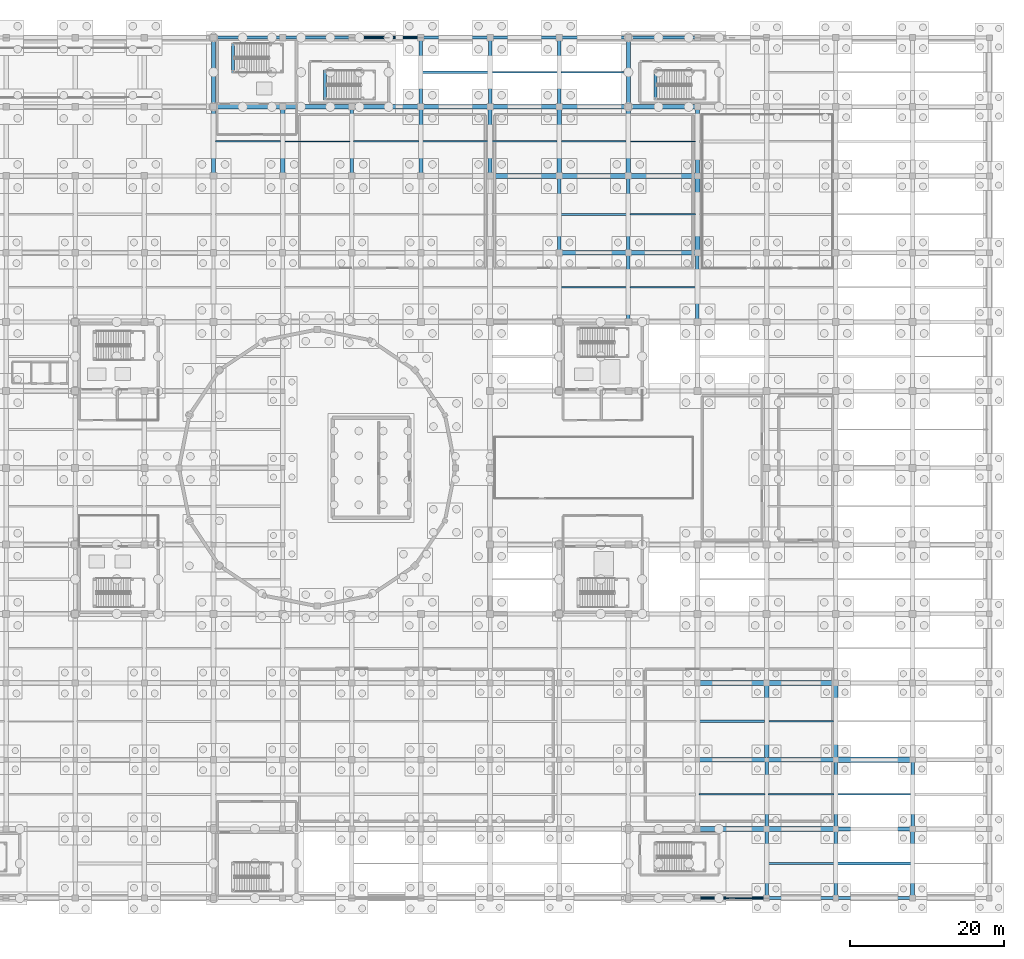
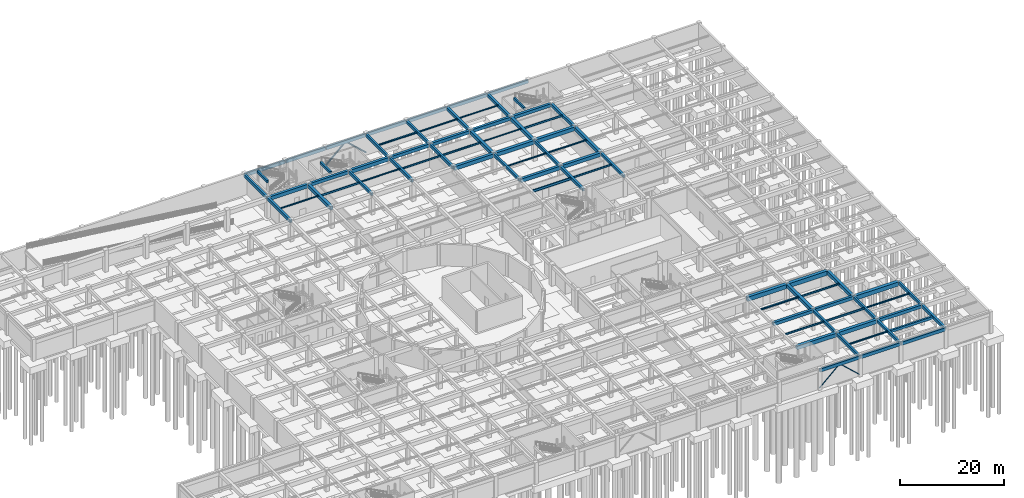
# One storey, part 32 of 62: 80 beams, 4 members.
"""IFC4 building model written with IfcOpenShell, lengths in metres."""

from ifc_helpers import new_model, si_unit, direction, frame, origin, origin_2d, place, context, subcontext, project, spatial, rectangle, hollow_rectangle, hollow_circle, i_section, extrude, material, material_profile, profile_set, type_object, element, save


model = new_model("IFC4")

# Units and contexts
model_context = context("Model", 3, precision=1e-05, world=origin(), true_north=direction((0.0, 1.0)))
body_context = subcontext(model_context, "Body", "Model", "MODEL_VIEW")
ifc_project = project(units=[si_unit("LENGTHUNIT", "METRE"), si_unit("AREAUNIT", "SQUARE_METRE"), si_unit("VOLUMEUNIT", "CUBIC_METRE"), si_unit("PLANEANGLEUNIT", "RADIAN"), si_unit("MASSUNIT", "GRAM", prefix="KILO")], contexts=[model_context])

# Site, building, storey
site_placement = place(None, origin())
site = spatial("IfcSite", under=ifc_project, at=site_placement, CompositionType="ELEMENT")
building_placement = place(site_placement, origin())
building = spatial("IfcBuilding", under=site, at=building_placement, Name="Miravela Opera House", CompositionType="ELEMENT")
storey_placement = place(building_placement, frame((0.0, 0.0, -5.10009765625)))
storey = spatial("IfcBuildingStorey", under=building, at=storey_placement, Name="B01", CompositionType="ELEMENT", Elevation=-5.10009765625)

# Beams
ifc_material_1 = material(Name="Concrete C35/45", Category="concrete")
ifc_material_profile_1 = material_profile(ifc_material_1, rectangle(XDim=0.39990234375, YDim=0.60009765625, at=origin_2d()), Name="RC-BM-400X600")
ifc_profile_set_1 = profile_set([ifc_material_profile_1])
beam_type_1 = type_object("IfcBeamType", Name="STR-BM-RC400X600", PredefinedType="JOIST", material=ifc_profile_set_1)
beam_1_placement = place(storey_placement, frame((144.22509765625, 4.5, 4.47998046875), z_axis=(1.0, 0.0, 0.0), x_axis=(0.0, 1.0, 0.0)))
element("IfcBeam", 1, at=beam_1_placement, inside=storey, type_object=beam_type_1, Name="Secondary Floor Joist B01 17-18/A-B", PredefinedType="JOIST", context=body_context, shape_type="SweptSolid", body=[
    extrude(rectangle(XDim=0.39990234375, YDim=0.60009765625, at=origin_2d()), origin(), (0.0, 0.0, 1.0), 9.5498046875),
])
for number, where, z_axis, x_axis, name in (
    (2, (65.5400390625, 107.39990234375, 4.800048828125), (0.0, 1.0, 0.0), (-1.0, 0.0, 0.0), "Stair K5 Opening Header Trimmer Beam 00"),
    (3, (77.5400390625, 103.89990234375, 4.800048828125), (0.0, 1.0, 0.0), (-1.0, 0.0, 0.0), "Stair ST-07 Opening Header Trimmer Beam 00"),
    (4, (120.5400390625, 103.89990234375, 4.800048828125), (0.0, 1.0, 0.0), (-1.0, 0.0, 0.0), "Stair ST-09 Opening Header Trimmer Beam 00"),
):
    element("IfcBeam", number, at=place(storey_placement, frame(where, z_axis=z_axis, x_axis=x_axis)), inside=storey, type_object=beam_type_1, Name=name, PredefinedType="JOIST", context=body_context, shape_type="SweptSolid", body=[
        extrude(rectangle(XDim=0.39990234375, YDim=0.60009765625, at=origin_2d()), origin(), (0.0, 0.0, 1.0), 3.880126953125),
    ])
ifc_material_profile_2 = material_profile(ifc_material_1, rectangle(XDim=0.449951171875, YDim=0.64990234375, at=origin_2d()), Name="RC-BM-450X650")
ifc_profile_set_2 = profile_set([ifc_material_profile_2])
beam_type_2 = type_object("IfcBeamType", Name="STR-BM-RC450X650", PredefinedType="BEAM", material=ifc_profile_set_2)
for number, where, z_axis, x_axis, name in (
    (5, (81.0, 94.080078125, 4.4951171875), (0.0, 1.0, 0.0), (-1.0, 0.0, 0.0), "Floor Girder B01 10/K-L"),
    (6, (90.0, 103.080078125, 4.4951171875), (0.0, 1.0, 0.0), (-1.0, 0.0, 0.0), "Floor Girder B01 11/L-M"),
    (7, (99.0, 103.080078125, 4.4951171875), (0.0, 1.0, 0.0), (-1.0, 0.0, 0.0), "Floor Girder B01 12/L-M"),
):
    element("IfcBeam", number, at=place(storey_placement, frame(where, z_axis=z_axis, x_axis=x_axis)), inside=storey, type_object=beam_type_2, Name=name, PredefinedType="BEAM", context=body_context, shape_type="SweptSolid", body=[
        extrude(rectangle(XDim=0.449951171875, YDim=0.64990234375, at=origin_2d()), origin(), (0.0, 0.0, 1.0), 8.83984375),
    ])
for number, where, z_axis, x_axis, name in (
    (8, (108.0, 84.080078125, 4.4951171875), (0.0, 1.0, 0.0), (-1.0, 0.0, 0.0), "Floor Girder B01 13/J-K"),
    (9, (117.0, 84.080078125, 4.4951171875), (0.0, 1.0, 0.0), (-1.0, 0.0, 0.0), "Floor Girder B01 14/J-K"),
):
    element("IfcBeam", number, at=place(storey_placement, frame(where, z_axis=z_axis, x_axis=x_axis)), inside=storey, type_object=beam_type_2, Name=name, PredefinedType="BEAM", context=body_context, shape_type="SweptSolid", body=[
        extrude(rectangle(XDim=0.449951171875, YDim=0.64990234375, at=origin_2d()), origin(), (0.0, 0.0, 1.0), 9.83984375),
    ])
for number, where, z_axis, x_axis, name in (
    (10, (126.0, 75.080078125, 4.4951171875), (0.0, 1.0, 0.0), (-1.0, 0.0, 0.0), "Floor Girder B01 15/I-J"),
    (11, (135.0, 9.080078125, 4.505126953125), (0.0, 1.0, 0.0), (-1.0, 0.0, 0.0), "Floor Girder B01 16/B-C"),
    (12, (144.0, 9.080078125, 4.455078125), (0.0, 1.0, 0.0), (-1.0, 0.0, 0.0), "Floor Girder B01 17/B-C"),
    (13, (154.0, 9.080078125, 4.455078125), (0.0, 1.0, 0.0), (-1.0, 0.0, 0.0), "Floor Girder B01 18/B-C"),
):
    element("IfcBeam", number, at=place(storey_placement, frame(where, z_axis=z_axis, x_axis=x_axis)), inside=storey, type_object=beam_type_2, Name=name, PredefinedType="BEAM", context=body_context, shape_type="SweptSolid", body=[
        extrude(rectangle(XDim=0.449951171875, YDim=0.64990234375, at=origin_2d()), origin(), (0.0, 0.0, 1.0), 8.83984375),
    ])
ifc_material_profile_3 = material_profile(ifc_material_1, rectangle(XDim=0.47998046875, YDim=0.679931640625, at=origin_2d()), Name="RC-BM-480X680")
ifc_profile_set_3 = profile_set([ifc_material_profile_3])
beam_type_3 = type_object("IfcBeamType", Name="STR-BM-RC480X680", PredefinedType="BEAM", material=ifc_profile_set_3)
for number, where, z_axis, x_axis, name in (
    (14, (63.0, 103.080078125, 4.47998046875), (0.0, 1.0, 0.0), (-1.0, 0.0, 0.0), "Floor Girder B01 8/L-M"),
    (15, (90.0, 94.080078125, 4.47998046875), (0.0, 1.0, 0.0), (-1.0, 0.0, 0.0), "Floor Girder B01 11/K-L"),
    (16, (99.0, 94.080078125, 4.47998046875), (0.0, 1.0, 0.0), (-1.0, 0.0, 0.0), "Floor Girder B01 12/K-L"),
    (17, (117.0, 75.080078125, 4.47998046875), (0.0, 1.0, 0.0), (-1.0, 0.0, 0.0), "Floor Girder B01 14/I-J"),
    (18, (135.0, 0.080078125, 4.47998046875), (0.0, 1.0, 0.0), (-1.0, 0.0, 0.0), "Floor Girder B01 16/A-B"),
    (19, (144.0, 0.080078125, 4.47998046875), (0.0, 1.0, 0.0), (-1.0, 0.0, 0.0), "Floor Girder B01 17/A-B"),
    (20, (154.0, 0.080078125, 4.440185546875), (0.0, 1.0, 0.0), (-1.0, 0.0, 0.0), "Floor Girder B01 18/A-B"),
):
    element("IfcBeam", number, at=place(storey_placement, frame(where, z_axis=z_axis, x_axis=x_axis)), inside=storey, type_object=beam_type_3, Name=name, PredefinedType="BEAM", context=body_context, shape_type="SweptSolid", body=[
        extrude(rectangle(XDim=0.47998046875, YDim=0.679931640625, at=origin_2d()), origin(), (0.0, 0.0, 1.0), 8.83984375),
    ])
ifc_material_profile_4 = material_profile(ifc_material_1, rectangle(XDim=0.5, YDim=0.699951171875, at=origin_2d()), Name="RC-BM-500X700")
ifc_profile_set_4 = profile_set([ifc_material_profile_4])
beam_type_4 = type_object("IfcBeamType", Name="STR-BM-RC500X700", PredefinedType="BEAM", material=ifc_profile_set_4)
for number, where, z_axis, x_axis, name in (
    (21, (63.0, 94.080078125, 4.47021484375), (0.0, 1.0, 0.0), (-1.0, 0.0, 0.0), "Floor Girder B01 8/K-L"),
    (22, (108.0, 103.080078125, 4.47021484375), (0.0, 1.0, 0.0), (-1.0, 0.0, 0.0), "Floor Girder B01 13/L-M"),
    (23, (117.0, 103.080078125, 4.47021484375), (0.0, 1.0, 0.0), (-1.0, 0.0, 0.0), "Floor Girder B01 14/L-M"),
    (24, (126.0, 94.080078125, 4.47998046875), (0.0, 1.0, 0.0), (-1.0, 0.0, 0.0), "Floor Girder B01 15/K-L"),
):
    element("IfcBeam", number, at=place(storey_placement, frame(where, z_axis=z_axis, x_axis=x_axis)), inside=storey, type_object=beam_type_4, Name=name, PredefinedType="BEAM", context=body_context, shape_type="SweptSolid", body=[
        extrude(rectangle(XDim=0.5, YDim=0.699951171875, at=origin_2d()), origin(), (0.0, 0.0, 1.0), 8.83984375),
    ])
ifc_material_profile_5 = material_profile(ifc_material_1, rectangle(XDim=0.550048828125, YDim=0.75, at=origin_2d()), Name="RC-BM-550X750")
ifc_profile_set_5 = profile_set([ifc_material_profile_5])
beam_type_5 = type_object("IfcBeamType", Name="STR-BM-RC550X750", PredefinedType="BEAM", material=ifc_profile_set_5)
for number, where, z_axis, x_axis, name in (
    (25, (72.080078125, 103.0, 4.445068359375), (1.0, 0.0, 0.0), (0.0, 1.0, 0.0), "Floor Girder B01 9-10/L"),
    (26, (90.080078125, 103.0, 4.445068359375), (1.0, 0.0, 0.0), (0.0, 1.0, 0.0), "Floor Girder B01 11-12/L"),
    (27, (99.080078125, 103.0, 4.445068359375), (1.0, 0.0, 0.0), (0.0, 1.0, 0.0), "Floor Girder B01 12-13/L"),
    (28, (108.080078125, 103.0, 4.445068359375), (1.0, 0.0, 0.0), (0.0, 1.0, 0.0), "Floor Girder B01 13-14/L"),
    (29, (117.080078125, 103.0, 4.445068359375), (1.0, 0.0, 0.0), (0.0, 1.0, 0.0), "Floor Girder B01 14-15/L"),
    (30, (126.080078125, 18.0, 4.455078125), (1.0, 0.0, 0.0), (0.0, 1.0, 0.0), "Floor Girder B01 15-16/C"),
    (31, (135.080078125, 18.0, 4.455078125), (1.0, 0.0, 0.0), (0.0, 1.0, 0.0), "Floor Girder B01 16-17/C"),
):
    element("IfcBeam", number, at=place(storey_placement, frame(where, z_axis=z_axis, x_axis=x_axis)), inside=storey, type_object=beam_type_5, Name=name, PredefinedType="BEAM", context=body_context, shape_type="SweptSolid", body=[
        extrude(rectangle(XDim=0.550048828125, YDim=0.75, at=origin_2d()), origin(), (0.0, 0.0, 1.0), 8.83984375),
    ])
beam_2_placement = place(storey_placement, frame((144.080078125, 9.0, 4.405029296875), z_axis=(1.0, 0.0, 0.0), x_axis=(0.0, 1.0, 0.0)))
element("IfcBeam", 32, at=beam_2_placement, inside=storey, type_object=beam_type_5, Name="Floor Girder B01 17-18/B", PredefinedType="BEAM", context=body_context, shape_type="SweptSolid", body=[
    extrude(rectangle(XDim=0.550048828125, YDim=0.75, at=origin_2d()), origin(), (0.0, 0.0, 1.0), 9.83984375),
])
ifc_material_2 = material(Name="Concrete C40/50", Category="concrete")
ifc_material_profile_6 = material_profile(ifc_material_2, rectangle(XDim=0.60009765625, YDim=0.85009765625, at=origin_2d()), Name="RC-BM-600X850")
ifc_profile_set_6 = profile_set([ifc_material_profile_6])
beam_type_6 = type_object("IfcBeamType", Name="STR-BM-RC600X850", PredefinedType="BEAM", material=ifc_profile_set_6)
for number, where, z_axis, x_axis, name in (
    (33, (63.080078125, 103.0, 4.39501953125), (1.0, 0.0, 0.0), (0.0, 1.0, 0.0), "Floor Girder B01 8-9/L"),
    (34, (81.080078125, 103.0, 4.39501953125), (1.0, 0.0, 0.0), (0.0, 1.0, 0.0), "Floor Girder B01 10-11/L"),
    (35, (108.080078125, 84.0, 4.39501953125), (1.0, 0.0, 0.0), (0.0, 1.0, 0.0), "Floor Girder B01 13-14/J"),
    (36, (117.080078125, 84.0, 4.39501953125), (1.0, 0.0, 0.0), (0.0, 1.0, 0.0), "Floor Girder B01 14-15/J"),
    (37, (72.0, 94.080078125, 4.39501953125), (0.0, 1.0, 0.0), (-1.0, 0.0, 0.0), "Floor Girder B01 9/K-L"),
    (38, (108.0, 94.080078125, 4.39501953125), (0.0, 1.0, 0.0), (-1.0, 0.0, 0.0), "Floor Girder B01 13/K-L"),
    (39, (117.0, 94.080078125, 4.39501953125), (0.0, 1.0, 0.0), (-1.0, 0.0, 0.0), "Floor Girder B01 14/K-L"),
):
    element("IfcBeam", number, at=place(storey_placement, frame(where, z_axis=z_axis, x_axis=x_axis)), inside=storey, type_object=beam_type_6, Name=name, PredefinedType="BEAM", context=body_context, shape_type="SweptSolid", body=[
        extrude(rectangle(XDim=0.60009765625, YDim=0.85009765625, at=origin_2d()), origin(), (0.0, 0.0, 1.0), 8.83984375),
    ])
for number, where, z_axis, x_axis, name in (
    (40, (126.0, 84.080078125, 4.405029296875), (0.0, 1.0, 0.0), (-1.0, 0.0, 0.0), "Floor Girder B01 15/J-K"),
    (41, (135.0, 18.080078125, 4.405029296875), (0.0, 1.0, 0.0), (-1.0, 0.0, 0.0), "Floor Girder B01 16/C-D"),
    (42, (144.0, 18.080078125, 4.35498046875), (0.0, 1.0, 0.0), (-1.0, 0.0, 0.0), "Floor Girder B01 17/C-D"),
):
    element("IfcBeam", number, at=place(storey_placement, frame(where, z_axis=z_axis, x_axis=x_axis)), inside=storey, type_object=beam_type_6, Name=name, PredefinedType="BEAM", context=body_context, shape_type="SweptSolid", body=[
        extrude(rectangle(XDim=0.60009765625, YDim=0.85009765625, at=origin_2d()), origin(), (0.0, 0.0, 1.0), 9.83984375),
    ])
ifc_material_profile_7 = material_profile(ifc_material_2, rectangle(XDim=0.64990234375, YDim=0.89990234375, at=origin_2d()), Name="RC-BM-650X900")
ifc_profile_set_7 = profile_set([ifc_material_profile_7])
beam_type_7 = type_object("IfcBeamType", Name="STR-BM-RC650X900", PredefinedType="BEAM", material=ifc_profile_set_7)
for number, where, z_axis, x_axis, name in (
    (43, (99.080078125, 94.0, 4.3701171875), (1.0, 0.0, 0.0), (0.0, 1.0, 0.0), "Floor Girder B01 12-13/K"),
    (44, (108.080078125, 94.0, 4.3701171875), (1.0, 0.0, 0.0), (0.0, 1.0, 0.0), "Floor Girder B01 13-14/K"),
    (45, (117.080078125, 94.0, 4.380126953125), (1.0, 0.0, 0.0), (0.0, 1.0, 0.0), "Floor Girder B01 14-15/K"),
    (46, (126.080078125, 9.0, 4.3701171875), (1.0, 0.0, 0.0), (0.0, 1.0, 0.0), "Floor Girder B01 15-16/B"),
    (47, (135.080078125, 9.0, 4.3701171875), (1.0, 0.0, 0.0), (0.0, 1.0, 0.0), "Floor Girder B01 16-17/B"),
):
    element("IfcBeam", number, at=place(storey_placement, frame(where, z_axis=z_axis, x_axis=x_axis)), inside=storey, type_object=beam_type_7, Name=name, PredefinedType="BEAM", context=body_context, shape_type="SweptSolid", body=[
        extrude(rectangle(XDim=0.64990234375, YDim=0.89990234375, at=origin_2d()), origin(), (0.0, 0.0, 1.0), 8.83984375),
    ])
ifc_material_profile_8 = material_profile(ifc_material_2, rectangle(XDim=0.699951171875, YDim=1.0, at=origin_2d()), Name="RC-BM-700X1000")
ifc_profile_set_8 = profile_set([ifc_material_profile_8])
beam_type_8 = type_object("IfcBeamType", Name="STR-BM-RC700X1000", PredefinedType="BEAM", material=ifc_profile_set_8)
for number, where, z_axis, x_axis, name in (
    (48, (126.080078125, 28.0, 4.280029296875), (1.0, 0.0, 0.0), (0.0, 1.0, 0.0), "Floor Girder B01 15-16/D"),
    (49, (135.080078125, 28.0, 4.280029296875), (1.0, 0.0, 0.0), (0.0, 1.0, 0.0), "Floor Girder B01 16-17/D"),
):
    element("IfcBeam", number, at=place(storey_placement, frame(where, z_axis=z_axis, x_axis=x_axis)), inside=storey, type_object=beam_type_8, Name=name, PredefinedType="BEAM", context=body_context, shape_type="SweptSolid", body=[
        extrude(rectangle(XDim=0.699951171875, YDim=1.0, at=origin_2d()), origin(), (0.0, 0.0, 1.0), 8.83984375),
    ])
beam_3_placement = place(storey_placement, frame((144.080078125, 18.0, 4.280029296875), z_axis=(1.0, 0.0, 0.0), x_axis=(0.0, 1.0, 0.0)))
element("IfcBeam", 50, at=beam_3_placement, inside=storey, type_object=beam_type_8, Name="Floor Girder B01 17-18/C", PredefinedType="BEAM", context=body_context, shape_type="SweptSolid", body=[
    extrude(rectangle(XDim=0.699951171875, YDim=1.0, at=origin_2d()), origin(), (0.0, 0.0, 1.0), 9.83984375),
])
ifc_material_3 = material(Name="Structural steel ASTM A992 Gr. 50", Category="steel")
ifc_material_profile_9 = material_profile(ifc_material_3, i_section(OverallWidth=0.1650390625, OverallDepth=0.200927734375, WebThickness=0.006103515625, FlangeThickness=0.01025390625, FilletRadius=0.010009765625, at=origin_2d()), Name="W200X36")
ifc_profile_set_9 = profile_set([ifc_material_profile_9])
beam_type_9 = type_object("IfcBeamType", Name="STR-BM-W200X36", PredefinedType="LINTEL", material=ifc_profile_set_9)
beam_4_placement = place(storey_placement, frame((63.235107421875, 98.5, 4.719482421875), z_axis=(1.0, 0.0, 0.0), x_axis=(0.0, 1.0, 0.0)))
element("IfcBeam", 51, at=beam_4_placement, inside=storey, type_object=beam_type_9, Name="Secondary Floor Joist B01 8-9/K-L", PredefinedType="LINTEL", context=body_context, shape_type="SweptSolid", body=[
    extrude(i_section(OverallWidth=0.1650390625, OverallDepth=0.200927734375, WebThickness=0.006103515625, FlangeThickness=0.01025390625, FilletRadius=0.010009765625, at=origin_2d()), origin(), (0.0, 0.0, 1.0), 8.47998046875),
])
beam_5_placement = place(storey_placement, frame((81.2099609375, 98.5, 4.719482421875), z_axis=(1.0, 0.0, 0.0), x_axis=(0.0, 1.0, 0.0)))
element("IfcBeam", 52, at=beam_5_placement, inside=storey, type_object=beam_type_9, Name="Secondary Floor Joist B01 10-11/K-L", PredefinedType="LINTEL", context=body_context, shape_type="SweptSolid", body=[
    extrude(i_section(OverallWidth=0.1650390625, OverallDepth=0.200927734375, WebThickness=0.006103515625, FlangeThickness=0.01025390625, FilletRadius=0.010009765625, at=origin_2d()), origin(), (0.0, 0.0, 1.0), 8.56494140625),
])
beam_6_placement = place(storey_placement, frame((108.235107421875, 107.5, 4.719482421875), z_axis=(1.0, 0.0, 0.0), x_axis=(0.0, 1.0, 0.0)))
element("IfcBeam", 53, at=beam_6_placement, inside=storey, type_object=beam_type_9, Name="Secondary Floor Joist B01 13-14/L-M", PredefinedType="LINTEL", context=body_context, shape_type="SweptSolid", body=[
    extrude(i_section(OverallWidth=0.1650390625, OverallDepth=0.200927734375, WebThickness=0.006103515625, FlangeThickness=0.01025390625, FilletRadius=0.010009765625, at=origin_2d()), origin(), (0.0, 0.0, 1.0), 8.52978515625),
])
ifc_material_profile_10 = material_profile(ifc_material_3, i_section(OverallWidth=0.201904296875, OverallDepth=0.2470703125, WebThickness=0.00732421875, FlangeThickness=0.010986328125, FilletRadius=0.011962890625, at=origin_2d()), Name="W250X49")
ifc_profile_set_10 = profile_set([ifc_material_profile_10])
beam_type_10 = type_object("IfcBeamType", Name="STR-BM-W250X49", PredefinedType="LINTEL", material=ifc_profile_set_10)
beam_7_placement = place(storey_placement, frame((108.284912109375, 98.5, 4.696533203125), z_axis=(1.0, 0.0, 0.0), x_axis=(0.0, 1.0, 0.0)))
element("IfcBeam", 54, at=beam_7_placement, inside=storey, type_object=beam_type_10, Name="Secondary Floor Joist B01 13-14/K-L", PredefinedType="LINTEL", context=body_context, shape_type="SweptSolid", body=[
    extrude(i_section(OverallWidth=0.201904296875, OverallDepth=0.2470703125, WebThickness=0.00732421875, FlangeThickness=0.010986328125, FilletRadius=0.011962890625, at=origin_2d()), origin(), (0.0, 0.0, 1.0), 8.43017578125),
])
ifc_material_profile_11 = material_profile(ifc_material_3, i_section(OverallWidth=0.25390625, OverallDepth=0.2529296875, WebThickness=0.008544921875, FlangeThickness=0.01416015625, FilletRadius=0.011962890625, at=origin_2d()), Name="W250X73")
ifc_profile_set_11 = profile_set([ifc_material_profile_11])
beam_type_11 = type_object("IfcBeamType", Name="STR-BM-W250X73", PredefinedType="JOIST", material=ifc_profile_set_11)
beam_8_placement = place(storey_placement, frame((108.2099609375, 89.0, 4.693603515625), z_axis=(1.0, 0.0, 0.0), x_axis=(0.0, 1.0, 0.0)))
element("IfcBeam", 55, at=beam_8_placement, inside=storey, type_object=beam_type_11, Name="Secondary Floor Joist B01 13-14/J-K", PredefinedType="JOIST", context=body_context, shape_type="SweptSolid", body=[
    extrude(i_section(OverallWidth=0.25390625, OverallDepth=0.2529296875, WebThickness=0.008544921875, FlangeThickness=0.01416015625, FilletRadius=0.011962890625, at=origin_2d()), origin(), (0.0, 0.0, 1.0), 8.580078125),
])
ifc_material_profile_12 = material_profile(ifc_material_3, i_section(OverallWidth=0.202880859375, OverallDepth=0.302978515625, WebThickness=0.007568359375, FlangeThickness=0.01318359375, FilletRadius=0.012939453125, at=origin_2d()), Name="W310X60")
ifc_profile_set_12 = profile_set([ifc_material_profile_12])
beam_type_12 = type_object("IfcBeamType", Name="STR-BM-W310X60", PredefinedType="JOIST", material=ifc_profile_set_12)
beam_9_placement = place(storey_placement, frame((99.2099609375, 107.5, 4.668701171875), z_axis=(1.0, 0.0, 0.0), x_axis=(0.0, 1.0, 0.0)))
element("IfcBeam", 56, at=beam_9_placement, inside=storey, type_object=beam_type_12, Name="Secondary Floor Joist B01 12-13/L-M", PredefinedType="JOIST", context=body_context, shape_type="SweptSolid", body=[
    extrude(i_section(OverallWidth=0.202880859375, OverallDepth=0.302978515625, WebThickness=0.007568359375, FlangeThickness=0.01318359375, FilletRadius=0.012939453125, at=origin_2d()), origin(), (0.0, 0.0, 1.0), 8.554931640625),
])
beam_10_placement = place(storey_placement, frame((117.2099609375, 89.0, 4.6787109375), z_axis=(1.0, 0.0, 0.0), x_axis=(0.0, 1.0, 0.0)))
element("IfcBeam", 57, at=beam_10_placement, inside=storey, type_object=beam_type_12, Name="Secondary Floor Joist B01 14-15/J-K", PredefinedType="JOIST", context=body_context, shape_type="SweptSolid", body=[
    extrude(i_section(OverallWidth=0.202880859375, OverallDepth=0.302978515625, WebThickness=0.007568359375, FlangeThickness=0.01318359375, FilletRadius=0.012939453125, at=origin_2d()), origin(), (0.0, 0.0, 1.0), 8.505126953125),
])
ifc_material_profile_13 = material_profile(ifc_material_3, i_section(OverallWidth=0.304931640625, OverallDepth=0.30810546875, WebThickness=0.010009765625, FlangeThickness=0.015380859375, FilletRadius=0.013916015625, at=origin_2d()), Name="W310X97")
ifc_profile_set_13 = profile_set([ifc_material_profile_13])
beam_type_13 = type_object("IfcBeamType", Name="STR-BM-W310X97", PredefinedType="JOIST", material=ifc_profile_set_13)
beam_11_placement = place(storey_placement, frame((90.2099609375, 107.5, 4.666015625), z_axis=(1.0, 0.0, 0.0), x_axis=(0.0, 1.0, 0.0)))
element("IfcBeam", 58, at=beam_11_placement, inside=storey, type_object=beam_type_13, Name="Secondary Floor Joist B01 11-12/L-M", PredefinedType="JOIST", context=body_context, shape_type="SweptSolid", body=[
    extrude(i_section(OverallWidth=0.304931640625, OverallDepth=0.30810546875, WebThickness=0.010009765625, FlangeThickness=0.015380859375, FilletRadius=0.013916015625, at=origin_2d()), origin(), (0.0, 0.0, 1.0), 8.580078125),
])
beam_12_placement = place(storey_placement, frame((126.2099609375, 23.0, 4.676025390625), z_axis=(1.0, 0.0, 0.0), x_axis=(0.0, 1.0, 0.0)))
element("IfcBeam", 59, at=beam_12_placement, inside=storey, type_object=beam_type_13, Name="Secondary Floor Joist B01 15-16/C-D", PredefinedType="JOIST", context=body_context, shape_type="SweptSolid", body=[
    extrude(i_section(OverallWidth=0.304931640625, OverallDepth=0.30810546875, WebThickness=0.010009765625, FlangeThickness=0.015380859375, FilletRadius=0.013916015625, at=origin_2d()), origin(), (0.0, 0.0, 1.0), 8.505126953125),
])
ifc_material_profile_14 = material_profile(ifc_material_3, i_section(OverallWidth=0.2041015625, OverallDepth=0.35009765625, WebThickness=0.008544921875, FlangeThickness=0.01513671875, FilletRadius=0.013916015625, at=origin_2d()), Name="W360X72")
ifc_profile_set_14 = profile_set([ifc_material_profile_14])
beam_type_14 = type_object("IfcBeamType", Name="STR-BM-W360X72", PredefinedType="JOIST", material=ifc_profile_set_14)
beam_13_placement = place(storey_placement, frame((135.22509765625, 4.5, 4.64501953125), z_axis=(1.0, 0.0, 0.0), x_axis=(0.0, 1.0, 0.0)))
element("IfcBeam", 60, at=beam_13_placement, inside=storey, type_object=beam_type_14, Name="Secondary Floor Joist B01 16-17/A-B", PredefinedType="JOIST", context=body_context, shape_type="SweptSolid", body=[
    extrude(i_section(OverallWidth=0.2041015625, OverallDepth=0.35009765625, WebThickness=0.008544921875, FlangeThickness=0.01513671875, FilletRadius=0.013916015625, at=origin_2d()), origin(), (0.0, 0.0, 1.0), 8.5498046875),
])
beam_14_placement = place(storey_placement, frame((144.2099609375, 13.5, 4.60498046875), z_axis=(1.0, 0.0, 0.0), x_axis=(0.0, 1.0, 0.0)))
element("IfcBeam", 61, at=beam_14_placement, inside=storey, type_object=beam_type_14, Name="Secondary Floor Joist B01 17-18/B-C", PredefinedType="JOIST", context=body_context, shape_type="SweptSolid", body=[
    extrude(i_section(OverallWidth=0.2041015625, OverallDepth=0.35009765625, WebThickness=0.008544921875, FlangeThickness=0.01513671875, FilletRadius=0.013916015625, at=origin_2d()), origin(), (0.0, 0.0, 1.0), 9.580078125),
])
ifc_material_profile_15 = material_profile(ifc_material_3, i_section(OverallWidth=0.177978515625, OverallDepth=0.406982421875, WebThickness=0.0078125, FlangeThickness=0.0126953125, FilletRadius=0.012939453125, at=origin_2d()), Name="W410X60")
ifc_profile_set_15 = profile_set([ifc_material_profile_15])
beam_type_15 = type_object("IfcBeamType", Name="STR-BM-W410X60", PredefinedType="JOIST", material=ifc_profile_set_15)
beam_15_placement = place(storey_placement, frame((90.22509765625, 98.5, 4.61669921875), z_axis=(1.0, 0.0, 0.0), x_axis=(0.0, 1.0, 0.0)))
element("IfcBeam", 62, at=beam_15_placement, inside=storey, type_object=beam_type_15, Name="Secondary Floor Joist B01 11-12/K-L", PredefinedType="JOIST", context=body_context, shape_type="SweptSolid", body=[
    extrude(i_section(OverallWidth=0.177978515625, OverallDepth=0.406982421875, WebThickness=0.0078125, FlangeThickness=0.0126953125, FilletRadius=0.012939453125, at=origin_2d()), origin(), (0.0, 0.0, 1.0), 8.5498046875),
])
beam_16_placement = place(storey_placement, frame((126.22509765625, 13.5, 4.626708984375), z_axis=(1.0, 0.0, 0.0), x_axis=(0.0, 1.0, 0.0)))
element("IfcBeam", 63, at=beam_16_placement, inside=storey, type_object=beam_type_15, Name="Secondary Floor Joist B01 15-16/B-C", PredefinedType="JOIST", context=body_context, shape_type="SweptSolid", body=[
    extrude(i_section(OverallWidth=0.177978515625, OverallDepth=0.406982421875, WebThickness=0.0078125, FlangeThickness=0.0126953125, FilletRadius=0.012939453125, at=origin_2d()), origin(), (0.0, 0.0, 1.0), 8.56494140625),
])
ifc_material_profile_16 = material_profile(ifc_material_3, i_section(OverallWidth=0.180908203125, OverallDepth=0.4169921875, WebThickness=0.010986328125, FlangeThickness=0.018310546875, FilletRadius=0.013916015625, at=origin_2d()), Name="W410X85")
ifc_profile_set_16 = profile_set([ifc_material_profile_16])
beam_type_16 = type_object("IfcBeamType", Name="STR-BM-W410X85", PredefinedType="JOIST", material=ifc_profile_set_16)
beam_17_placement = place(storey_placement, frame((99.22509765625, 98.5, 4.611572265625), z_axis=(1.0, 0.0, 0.0), x_axis=(0.0, 1.0, 0.0)))
element("IfcBeam", 64, at=beam_17_placement, inside=storey, type_object=beam_type_16, Name="Secondary Floor Joist B01 12-13/K-L", PredefinedType="JOIST", context=body_context, shape_type="SweptSolid", body=[
    extrude(i_section(OverallWidth=0.180908203125, OverallDepth=0.4169921875, WebThickness=0.010986328125, FlangeThickness=0.018310546875, FilletRadius=0.013916015625, at=origin_2d()), origin(), (0.0, 0.0, 1.0), 8.489990234375),
])
beam_18_placement = place(storey_placement, frame((117.22509765625, 79.5, 4.611572265625), z_axis=(1.0, 0.0, 0.0), x_axis=(0.0, 1.0, 0.0)))
element("IfcBeam", 65, at=beam_18_placement, inside=storey, type_object=beam_type_16, Name="Secondary Floor Joist B01 14-15/I-J", PredefinedType="JOIST", context=body_context, shape_type="SweptSolid", body=[
    extrude(i_section(OverallWidth=0.180908203125, OverallDepth=0.4169921875, WebThickness=0.010986328125, FlangeThickness=0.018310546875, FilletRadius=0.013916015625, at=origin_2d()), origin(), (0.0, 0.0, 1.0), 8.56494140625),
])
beam_19_placement = place(storey_placement, frame((135.284912109375, 23.0, 4.62158203125), z_axis=(1.0, 0.0, 0.0), x_axis=(0.0, 1.0, 0.0)))
element("IfcBeam", 66, at=beam_19_placement, inside=storey, type_object=beam_type_16, Name="Secondary Floor Joist B01 16-17/C-D", PredefinedType="JOIST", context=body_context, shape_type="SweptSolid", body=[
    extrude(i_section(OverallWidth=0.180908203125, OverallDepth=0.4169921875, WebThickness=0.010986328125, FlangeThickness=0.018310546875, FilletRadius=0.013916015625, at=origin_2d()), origin(), (0.0, 0.0, 1.0), 8.43017578125),
])
ifc_material_profile_17 = material_profile(ifc_material_3, i_section(OverallWidth=0.154052734375, OverallDepth=0.458984375, WebThickness=0.009033203125, FlangeThickness=0.015380859375, FilletRadius=0.013916015625, at=origin_2d()), Name="W460X68")
ifc_profile_set_17 = profile_set([ifc_material_profile_17])
beam_type_17 = type_object("IfcBeamType", Name="STR-BM-W460X68", PredefinedType="JOIST", material=ifc_profile_set_17)
beam_20_placement = place(storey_placement, frame((72.284912109375, 98.5, 4.590576171875), z_axis=(1.0, 0.0, 0.0), x_axis=(0.0, 1.0, 0.0)))
element("IfcBeam", 67, at=beam_20_placement, inside=storey, type_object=beam_type_17, Name="Secondary Floor Joist B01 9-10/K-L", PredefinedType="JOIST", context=body_context, shape_type="SweptSolid", body=[
    extrude(i_section(OverallWidth=0.154052734375, OverallDepth=0.458984375, WebThickness=0.009033203125, FlangeThickness=0.015380859375, FilletRadius=0.013916015625, at=origin_2d()), origin(), (0.0, 0.0, 1.0), 8.505126953125),
])
beam_21_placement = place(storey_placement, frame((117.284912109375, 98.5, 4.6005859375), z_axis=(1.0, 0.0, 0.0), x_axis=(0.0, 1.0, 0.0)))
element("IfcBeam", 68, at=beam_21_placement, inside=storey, type_object=beam_type_17, Name="Secondary Floor Joist B01 14-15/K-L", PredefinedType="JOIST", context=body_context, shape_type="SweptSolid", body=[
    extrude(i_section(OverallWidth=0.154052734375, OverallDepth=0.458984375, WebThickness=0.009033203125, FlangeThickness=0.015380859375, FilletRadius=0.013916015625, at=origin_2d()), origin(), (0.0, 0.0, 1.0), 8.47998046875),
])
ifc_material_profile_18 = material_profile(ifc_material_3, i_section(OverallWidth=0.19091796875, OverallDepth=0.4599609375, WebThickness=0.010009765625, FlangeThickness=0.01611328125, FilletRadius=0.014892578125, at=origin_2d()), Name="W460X82")
ifc_profile_set_18 = profile_set([ifc_material_profile_18])
beam_type_18 = type_object("IfcBeamType", Name="STR-BM-W460X82", PredefinedType="JOIST", material=ifc_profile_set_18)
beam_22_placement = place(storey_placement, frame((135.2099609375, 13.5, 4.60009765625), z_axis=(1.0, 0.0, 0.0), x_axis=(0.0, 1.0, 0.0)))
element("IfcBeam", 69, at=beam_22_placement, inside=storey, type_object=beam_type_18, Name="Secondary Floor Joist B01 16-17/B-C", PredefinedType="JOIST", context=body_context, shape_type="SweptSolid", body=[
    extrude(i_section(OverallWidth=0.19091796875, OverallDepth=0.4599609375, WebThickness=0.010009765625, FlangeThickness=0.01611328125, FilletRadius=0.014892578125, at=origin_2d()), origin(), (0.0, 0.0, 1.0), 8.580078125),
])
ifc_material_profile_19 = material_profile(ifc_material_3, i_section(OverallWidth=0.22802734375, OverallDepth=0.60791015625, WebThickness=0.01123046875, FlangeThickness=0.017333984375, FilletRadius=0.01611328125, at=origin_2d()), Name="W610X113")
ifc_profile_set_19 = profile_set([ifc_material_profile_19])
beam_type_19 = type_object("IfcBeamType", Name="STR-BM-W610X113", PredefinedType="BEAM", material=ifc_profile_set_19)
beam_23_placement = place(storey_placement, frame((108.22509765625, 79.5, 4.51611328125), z_axis=(1.0, 0.0, 0.0), x_axis=(0.0, 1.0, 0.0)))
element("IfcBeam", 70, at=beam_23_placement, inside=storey, type_object=beam_type_19, Name="Secondary Floor Joist B01 13-14/I-J", PredefinedType="BEAM", context=body_context, shape_type="SweptSolid", body=[
    extrude(i_section(OverallWidth=0.22802734375, OverallDepth=0.60791015625, WebThickness=0.01123046875, FlangeThickness=0.017333984375, FilletRadius=0.01611328125, at=origin_2d()), origin(), (0.0, 0.0, 1.0), 8.5498046875),
])

# Members
ifc_material_4 = material(Name="Hollow structural steel ASTM A500 Gr. C", Category="steel")
ifc_material_profile_20 = material_profile(ifc_material_4, hollow_circle(Radius=0.177734375, WallThickness=0.011962890625, at=origin_2d()), Name="CHS356X12")
ifc_profile_set_20 = profile_set([ifc_material_profile_20])
member_type_1 = type_object("IfcMemberType", Name="STR-MEM-BRACE-CHS356", PredefinedType="BRACE", material=ifc_profile_set_20)
for number, where, z_axis, x_axis, name in (
    (71, (81.0, 112.0, 0.300048828125), (0.736735892782, 0.0, 0.676180615137), (0.0, 1.0, 0.0), "Concentric Braced Frame BF-N2 B01 Left Brace"),
    (72, (90.0, 112.0, 0.300048828125), (-0.736735892782, 0.0, 0.676180615137), (0.0, -1.0, 0.0), "Concentric Braced Frame BF-N2 B01 Right Brace"),
):
    element("IfcMember", number, at=place(storey_placement, frame(where, z_axis=z_axis, x_axis=x_axis)), inside=storey, type_object=member_type_1, Name=name, PredefinedType="BRACE", context=body_context, shape_type="SweptSolid", body=[
        extrude(hollow_circle(Radius=0.177734375, WallThickness=0.011962890625, at=origin_2d()), origin(), (0.0, 0.0, 1.0), 6.10791015625),
    ])
ifc_material_profile_21 = material_profile(ifc_material_4, hollow_rectangle(XDim=0.179931640625, YDim=0.179931640625, WallThickness=0.010009765625, InnerFilletRadius=0.010009765625, OuterFilletRadius=0.02001953125, at=origin_2d()), Name="HSS180X180X10")
ifc_profile_set_21 = profile_set([ifc_material_profile_21])
member_type_2 = type_object("IfcMemberType", Name="STR-MEM-BRACE-HSS180", PredefinedType="BRACE", material=ifc_profile_set_21)
for number, where, z_axis, x_axis, name in (
    (73, (126.0, 0.0, 0.300048828125), (0.736735892782, 0.0, 0.676180615137), (0.0, 1.0, 0.0), "Concentric Braced Frame BF-S3 B01 Left Brace"),
    (74, (135.0, 0.0, 0.300048828125), (-0.736735892782, 0.0, 0.676180615137), (0.0, -1.0, 0.0), "Concentric Braced Frame BF-S3 B01 Right Brace"),
):
    element("IfcMember", number, at=place(storey_placement, frame(where, z_axis=z_axis, x_axis=x_axis)), inside=storey, type_object=member_type_2, Name=name, PredefinedType="BRACE", context=body_context, shape_type="SweptSolid", body=[
        extrude(hollow_rectangle(XDim=0.179931640625, YDim=0.179931640625, WallThickness=0.010009765625, InnerFilletRadius=0.010009765625, OuterFilletRadius=0.02001953125, at=origin_2d()), origin(), (0.0, 0.0, 1.0), 6.10791015625),
    ])

# Beams
ifc_material_profile_22 = material_profile(ifc_material_1, rectangle(XDim=0.39990234375, YDim=0.75, at=origin_2d()), Name="RC-SPN-400X750")
ifc_profile_set_22 = profile_set([ifc_material_profile_22])
beam_type_20 = type_object("IfcBeamType", Name="STR-SPN-RC400X750", PredefinedType="SPANDREL", material=ifc_profile_set_22)
for number, where, z_axis, x_axis, name in (
    (75, (63.080078125, 112.0, 4.445068359375), (1.0, 0.0, 0.0), (0.0, 1.0, 0.0), "Floor Girder B01 8-9/M"),
    (76, (72.080078125, 112.0, 4.445068359375), (1.0, 0.0, 0.0), (0.0, 1.0, 0.0), "Floor Girder B01 9-10/M"),
    (77, (81.080078125, 112.0, 4.445068359375), (1.0, 0.0, 0.0), (0.0, 1.0, 0.0), "Floor Girder B01 10-11/M"),
    (78, (90.080078125, 112.0, 4.445068359375), (1.0, 0.0, 0.0), (0.0, 1.0, 0.0), "Floor Girder B01 11-12/M"),
    (79, (99.080078125, 112.0, 4.445068359375), (1.0, 0.0, 0.0), (0.0, 1.0, 0.0), "Floor Girder B01 12-13/M"),
    (80, (108.080078125, 112.0, 4.445068359375), (1.0, 0.0, 0.0), (0.0, 1.0, 0.0), "Floor Girder B01 13-14/M"),
    (81, (117.080078125, 112.0, 4.445068359375), (1.0, 0.0, 0.0), (0.0, 1.0, 0.0), "Floor Girder B01 14-15/M"),
    (82, (126.080078125, 0.0, 4.445068359375), (1.0, 0.0, 0.0), (0.0, 1.0, 0.0), "Floor Girder B01 15-16/A"),
    (83, (135.080078125, 0.0, 4.445068359375), (1.0, 0.0, 0.0), (0.0, 1.0, 0.0), "Floor Girder B01 16-17/A"),
):
    element("IfcBeam", number, at=place(storey_placement, frame(where, z_axis=z_axis, x_axis=x_axis)), inside=storey, type_object=beam_type_20, Name=name, PredefinedType="SPANDREL", context=body_context, shape_type="SweptSolid", body=[
        extrude(rectangle(XDim=0.39990234375, YDim=0.75, at=origin_2d()), origin(), (0.0, 0.0, 1.0), 8.83984375),
    ])
beam_24_placement = place(storey_placement, frame((144.080078125, 0.0, 4.405029296875), z_axis=(1.0, 0.0, 0.0), x_axis=(0.0, 1.0, 0.0)))
element("IfcBeam", 84, at=beam_24_placement, inside=storey, type_object=beam_type_20, Name="Floor Girder B01 17-18/A", PredefinedType="SPANDREL", context=body_context, shape_type="SweptSolid", body=[
    extrude(rectangle(XDim=0.39990234375, YDim=0.75, at=origin_2d()), origin(), (0.0, 0.0, 1.0), 9.83984375),
])

save(model, "model.ifc")
